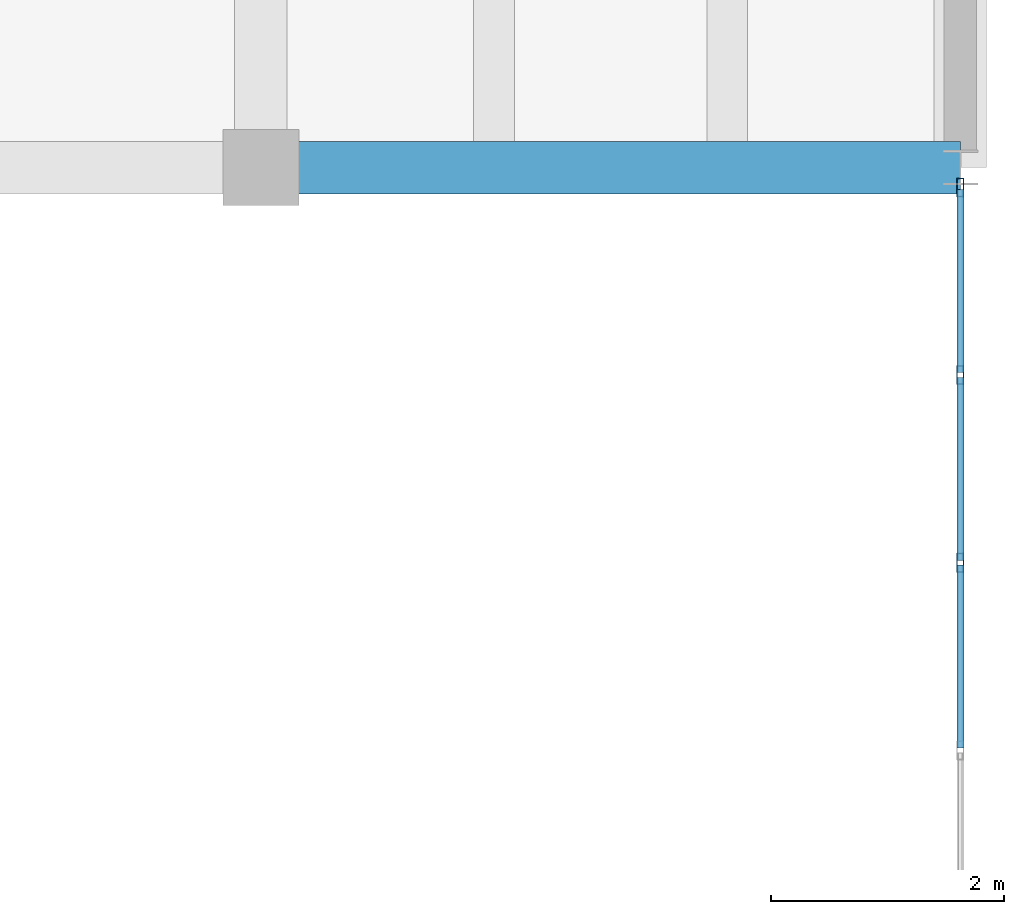
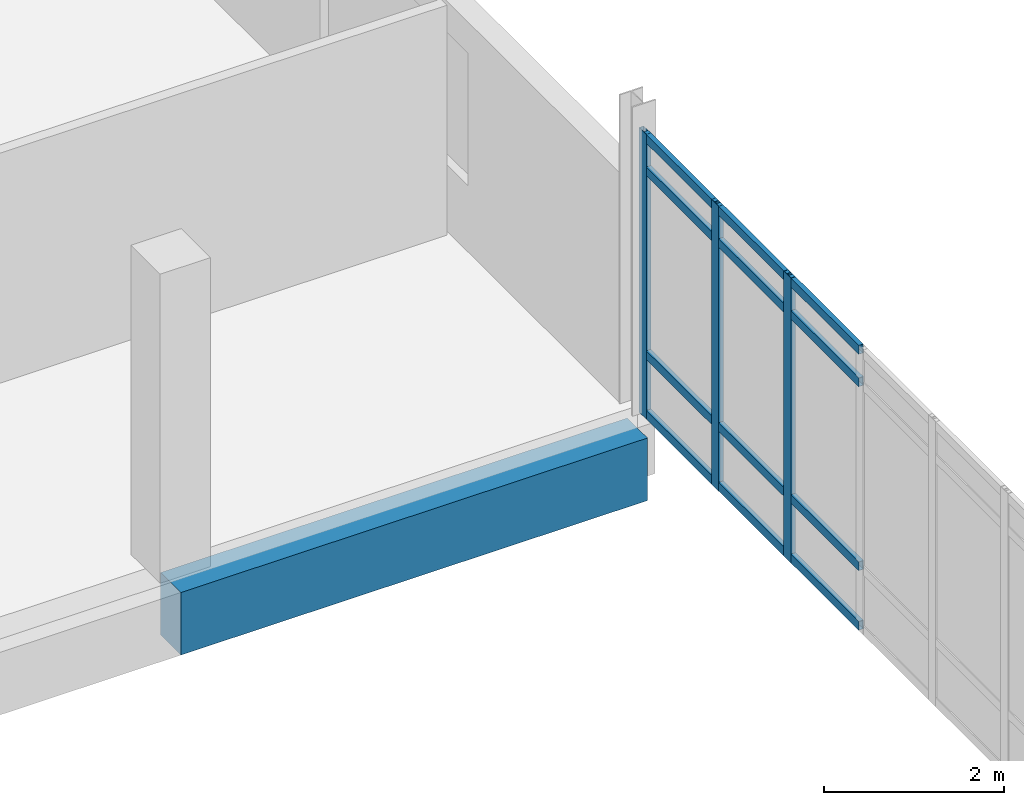
# One storey, part 115 of 161: 15 members, 1 beam, 1 element without a shape of its own.
"""IFC4 building model written with IfcOpenShell, lengths in metres."""

import ifcopenshell
import ifcopenshell.guid

model = None  # the IFC model being written
_history = None  # IfcOwnerHistory: only IFC2X3 demands one
_inside = {}  # id of a spatial element -> (the spatial element, [elements in it])
_under = {}  # id of a project, library or spatial element -> (it, [spatial elements below it])
_declared = {}  # id of a project -> (the project, [libraries it declares])
_typed = {}  # id of a type object -> (the type object, [elements of that type])
_made_of = {}  # id of a material, layer set ... -> (it, [elements and type objects made of it])


def new_model(schema):
    """Start an empty IFC model of exactly this schema.

    Asked for "IFC4X3", IfcOpenShell would pick the latest addendum, in which some entities
    have other attributes; the version numbers below select the first issue.
    IFC2X3 requires an IfcOwnerHistory on every rooted entity: one is made here for all.
    """
    global model, _history
    if schema == "IFC4X3":
        model = ifcopenshell.file(schema_version=(4, 3, 0, 0))
    else:
        model = ifcopenshell.file(schema=schema)
    _inside.clear()
    _under.clear()
    _declared.clear()
    _typed.clear()
    _made_of.clear()
    _history = None
    if model.schema == "IFC2X3":
        org = make("IfcOrganization", Name="unknown")
        user = make(
            "IfcPersonAndOrganization",
            ThePerson=make("IfcPerson", FamilyName="unknown"),
            TheOrganization=org,
        )
        app = make(
            "IfcApplication",
            ApplicationDeveloper=org,
            Version="unknown",
            ApplicationFullName="unknown",
            ApplicationIdentifier="unknown",
        )
        _history = make(
            "IfcOwnerHistory",
            OwningUser=user,
            OwningApplication=app,
            ChangeAction="ADDED",
            CreationDate=0,
        )
    return model


def make(cls, **values):
    """One entity of the class cls with the attributes given. An attribute that is None is left unset."""
    return model.create_entity(
        cls, **{name: value for name, value in values.items() if value is not None}
    )


def rooted(cls, **values):
    """An entity with a GlobalId (a new one), such as an element, a storey or a relation."""
    return make(cls, GlobalId=ifcopenshell.guid.new(), OwnerHistory=_history, **values)


def si_unit(unit_type, name, prefix=None):
    """IfcSIUnit, for example si_unit("LENGTHUNIT", "METRE", prefix="MILLI")."""
    return make("IfcSIUnit", UnitType=unit_type, Prefix=prefix, Name=name)


def assignment(units):
    """IfcUnitAssignment: the units of a project."""
    return None if units is None else make("IfcUnitAssignment", Units=units)


def point(xyz):
    """IfcCartesianPoint."""
    return None if xyz is None else make("IfcCartesianPoint", Coordinates=xyz)


def direction(xyz):
    """IfcDirection."""
    return None if xyz is None else make("IfcDirection", DirectionRatios=xyz)


def frame(location, z_axis=None, x_axis=None):
    """IfcAxis2Placement3D, a coordinate frame: its origin and axes. An axis left out is left unset."""
    return make(
        "IfcAxis2Placement3D",
        Location=point(location),
        Axis=direction(z_axis),
        RefDirection=direction(x_axis),
    )


def frame_2d(location, x_axis=None):
    """IfcAxis2Placement2D, a coordinate frame in the plane: its origin and x axis."""
    return make(
        "IfcAxis2Placement2D", Location=point(location), RefDirection=direction(x_axis)
    )


def origin():
    """The frame at (0, 0, 0) with its axes left unset."""
    return frame((0.0, 0.0, 0.0))


def origin_2d():
    """The frame at (0, 0) in the plane with its x axis left unset."""
    return frame_2d((0.0, 0.0))


def place(relative_to, where):
    """IfcLocalPlacement: puts the frame where relative to a parent placement (None: the world)."""
    return make(
        "IfcLocalPlacement", PlacementRelTo=relative_to, RelativePlacement=where
    )


def context(
    kind, dimensions, precision=None, world=None, true_north=None, identifier=None
):
    """IfcGeometricRepresentationContext, for example the 3D "Model" context."""
    return make(
        "IfcGeometricRepresentationContext",
        ContextIdentifier=identifier,
        ContextType=kind,
        CoordinateSpaceDimension=dimensions,
        Precision=precision,
        WorldCoordinateSystem=world,
        TrueNorth=true_north,
    )


def subcontext(parent, identifier, kind, view, scale=None):
    """IfcGeometricRepresentationSubContext, for example "Body" below "Model"."""
    return make(
        "IfcGeometricRepresentationSubContext",
        ContextIdentifier=identifier,
        ContextType=kind,
        ParentContext=parent,
        TargetScale=scale,
        TargetView=view,
    )


def project(units=None, contexts=None):
    """IfcProject with its units and contexts."""
    return rooted(
        "IfcProject",
        Name="project",
        RepresentationContexts=contexts,
        UnitsInContext=assignment(units),
    )


def spatial(cls, under=None, at=None, **own):
    """A site, building, storey or space (cls), placed at a placement, below another one or the project."""
    s = rooted(cls, ObjectPlacement=at, **own)
    if under is not None:
        _under.setdefault(under.id(), (under, []))[1].append(s)
    return s


def profile(cls, at=None, kind="AREA", **sizes):
    """A parametric profile (cls). Its sizes go by their IFC names, for example OverallWidth=200.0."""
    return make(cls, ProfileType=kind, Position=at, **sizes)


def rectangle(**sizes):
    """IfcRectangleProfileDef."""
    return profile("IfcRectangleProfileDef", **sizes)


def hollow_rectangle(**sizes):
    """IfcRectangleHollowProfileDef."""
    return profile("IfcRectangleHollowProfileDef", **sizes)


def extrude(swept, where, along, depth):
    """IfcExtrudedAreaSolid: the profile swept, set in the frame where, extruded along a direction by depth."""
    return make(
        "IfcExtrudedAreaSolid",
        SweptArea=swept,
        Position=where,
        ExtrudedDirection=direction(along),
        Depth=depth,
    )


def shape(context_of_items, identifier, shape_type, items):
    """IfcShapeRepresentation: the items that make up one representation, for example the "Body"."""
    return make(
        "IfcShapeRepresentation",
        ContextOfItems=context_of_items,
        RepresentationIdentifier=identifier,
        RepresentationType=shape_type,
        Items=items,
    )


def material(Name=None, Category=None):
    """IfcMaterial."""
    return make("IfcMaterial", Name=Name, Category=Category)


def layer(
    of_material, thickness, ventilated=None, Name=None, Category=None, Priority=None
):
    """IfcMaterialLayer: one layer of a wall or slab, of a material (None: an air gap)."""
    return make(
        "IfcMaterialLayer",
        Material=of_material,
        LayerThickness=thickness,
        IsVentilated=ventilated,
        Name=Name,
        Category=Category,
        Priority=Priority,
    )


def layer_set(layers, Name=None):
    """IfcMaterialLayerSet."""
    return make("IfcMaterialLayerSet", MaterialLayers=layers, LayerSetName=Name)


def material_profile(
    of_material, cross_section, Name=None, Category=None, Priority=None
):
    """IfcMaterialProfile: a cross section and its material."""
    return make(
        "IfcMaterialProfile",
        Name=Name,
        Material=of_material,
        Profile=cross_section,
        Priority=Priority,
        Category=Category,
    )


def profile_set(profiles, Name=None, composite=None):
    """IfcMaterialProfileSet."""
    return make(
        "IfcMaterialProfileSet",
        Name=Name,
        MaterialProfiles=profiles,
        CompositeProfile=composite,
    )


def made_of(thing, what):
    """Note that an element or type object is made of a material, layer set ...; save() writes the relation."""
    if what is not None:
        _made_of.setdefault(what.id(), (what, []))[1].append(thing)
    return thing


def type_object(cls, material=None, **own):
    """A type object (cls), such as IfcWallType, which elements share."""
    return made_of(rooted(cls, **own), material)


def element(
    cls,
    number,
    at=None,
    inside=None,
    cuts=None,
    type_object=None,
    material=None,
    context=None,
    identifier="Body",
    shape_type=None,
    held_by="IfcProductDefinitionShape",
    body=None,
    shapes=None,
    **own,
):
    """One element of the class cls, such as IfcWall. Its Tag is "e" and its number.

    at: its placement. inside: the storey or other place that contains it. cuts: it is an
    opening in that element (IfcRelVoidsElement). A single representation is given by context,
    identifier, shape_type and body (its items); several are given by shapes. held_by: the class
    of the entity that holds the representations. save() writes the other relations.
    """
    e = rooted(cls, Tag="e%d" % number, ObjectPlacement=at, **own)
    if body is not None:
        shapes = [shape(context, identifier, shape_type, body)]
    if shapes is not None:
        e.Representation = make(held_by, Representations=shapes)
    if inside is not None:
        _inside.setdefault(inside.id(), (inside, []))[1].append(e)
    if cuts is not None:
        rooted(
            "IfcRelVoidsElement", RelatingBuildingElement=cuts, RelatedOpeningElement=e
        )
    if type_object is not None:
        _typed.setdefault(type_object.id(), (type_object, []))[1].append(e)
    return made_of(e, material)


def aggregate(whole, parts):
    """IfcRelAggregates: a whole, such as a stair, and the parts it consists of."""
    return rooted("IfcRelAggregates", RelatingObject=whole, RelatedObjects=parts)


def save(model, path):
    """Write the relations noted so far, then the file.

    IfcRelAggregates (storeys below a building ...), IfcRelContainedInSpatialStructure (elements
    in a storey), IfcRelDefinesByType, IfcRelAssociatesMaterial and IfcRelDeclares: one each for
    every whole, place, type object, material and project.
    """
    for whole, parts in _under.values():
        aggregate(whole, parts)
    for where, things in _inside.values():
        rooted(
            "IfcRelContainedInSpatialStructure",
            RelatedElements=things,
            RelatingStructure=where,
        )
    for kind, things in _typed.values():
        rooted("IfcRelDefinesByType", RelatedObjects=things, RelatingType=kind)
    for what, things in _made_of.values():
        rooted("IfcRelAssociatesMaterial", RelatedObjects=things, RelatingMaterial=what)
    for by, libraries in _declared.values():
        rooted("IfcRelDeclares", RelatingContext=by, RelatedDefinitions=libraries)
    model.write(path)


model = new_model("IFC4")

# Units and contexts
model_context = context("Model", 3, precision=1e-05, world=origin(), true_north=direction((0.0, 1.0)))
body_context = subcontext(model_context, "Body", "Model", "MODEL_VIEW")
ifc_project = project(units=[si_unit("LENGTHUNIT", "METRE"), si_unit("AREAUNIT", "SQUARE_METRE"), si_unit("VOLUMEUNIT", "CUBIC_METRE"), si_unit("PLANEANGLEUNIT", "RADIAN"), si_unit("MASSUNIT", "GRAM", prefix="KILO")], contexts=[model_context])

# Site, building, storey
site_placement = place(None, origin())
site = spatial("IfcSite", under=ifc_project, at=site_placement, CompositionType="ELEMENT")
building_placement = place(site_placement, origin())
building = spatial("IfcBuilding", under=site, at=building_placement, Name="Mersad Railyard Sports Hall", CompositionType="ELEMENT")
storey_placement = place(building_placement, frame((0.0, 0.0, 4.800048828125)))
storey = spatial("IfcBuildingStorey", under=building, at=storey_placement, Name="L01", CompositionType="ELEMENT", Elevation=4.800048828125)

# Curtain wall, members
ifc_material_1 = material(Name="Aluminium 6063-T6", Category="aluminium")
ifc_layer = layer(ifc_material_1, 0.159912109375)
ifc_layer_set = layer_set([ifc_layer], Name="Aluminium 6063-T6")
curtain_wall_type = type_object("IfcCurtainWallType", Name="ARC-CW-CW22", PredefinedType="USERDEFINED", material=ifc_layer_set)
curtain_wall_placement = place(storey_placement, origin())
curtain_wall = element("IfcCurtainWall", 1, at=curtain_wall_placement, inside=storey, type_object=curtain_wall_type, Name="Curtain wall CW22-0061", ObjectType="CURTAIN WALL", PredefinedType="USERDEFINED")
ifc_material_profile_1 = material_profile(ifc_material_1, hollow_rectangle(XDim=0.06005859375, YDim=0.159912109375, WallThickness=0.00390625, at=origin_2d()), Name="AL MULLION 60x160x4")
ifc_profile_set_1 = profile_set([ifc_material_profile_1], Name="Aluminium 6063-T6")
member_type_1 = type_object("IfcMemberType", Name="ARC-CW-MUL01", PredefinedType="MULLION", material=ifc_profile_set_1)
member_1_placement = place(storey_placement, frame((179.0, 94.830078125, -0.02001953125), z_axis=(0.0, 0.0, 1.0), x_axis=(1.0, 0.0, 0.0)))
member_1 = element("IfcMember", 2, at=member_1_placement, type_object=member_type_1, Name="CW22 Mullion 1", PredefinedType="MULLION", context=body_context, shape_type="SweptSolid", body=[
    extrude(hollow_rectangle(XDim=0.06005859375, YDim=0.159912109375, WallThickness=0.00390625, at=origin_2d()), origin(), (0.0, 0.0, 1.0), 3.869873046875),
])
member_2_placement = place(storey_placement, frame((179.0, 93.219970703125, -0.02001953125), z_axis=(0.0, 0.0, 1.0), x_axis=(1.0, 0.0, 0.0)))
member_2 = element("IfcMember", 3, at=member_2_placement, type_object=member_type_1, Name="CW22 Mullion 2", PredefinedType="MULLION", context=body_context, shape_type="SweptSolid", body=[
    extrude(hollow_rectangle(XDim=0.06005859375, YDim=0.159912109375, WallThickness=0.00390625, at=origin_2d()), origin(), (0.0, 0.0, 1.0), 3.869873046875),
])
member_3_placement = place(storey_placement, frame((179.0, 91.610107421875, -0.02001953125), z_axis=(0.0, 0.0, 1.0), x_axis=(1.0, 0.0, 0.0)))
member_3 = element("IfcMember", 4, at=member_3_placement, type_object=member_type_1, Name="CW22 Mullion 3", PredefinedType="MULLION", context=body_context, shape_type="SweptSolid", body=[
    extrude(hollow_rectangle(XDim=0.06005859375, YDim=0.159912109375, WallThickness=0.00390625, at=origin_2d()), origin(), (0.0, 0.0, 1.0), 3.869873046875),
])
ifc_material_profile_2 = material_profile(ifc_material_1, hollow_rectangle(XDim=0.06005859375, YDim=0.1201171875, WallThickness=0.00390625, at=origin_2d()), Name="AL TRANSOM 60x120x4")
ifc_profile_set_2 = profile_set([ifc_material_profile_2], Name="Aluminium 6063-T6")
member_type_2 = type_object("IfcMemberType", Name="ARC-CW-TRN01", PredefinedType="USERDEFINED", material=ifc_profile_set_2)
member_4_placement = place(storey_placement, frame((179.0, 94.81005859375, 0.0400390625), z_axis=(0.0, -1.0, 0.0), x_axis=(1.0, 0.0, 0.0)))
member_4 = element("IfcMember", 5, at=member_4_placement, type_object=member_type_2, Name="CW22 Transom 1-1", ObjectType="TRANSOM", PredefinedType="USERDEFINED", context=body_context, shape_type="SweptSolid", body=[
    extrude(hollow_rectangle(XDim=0.06005859375, YDim=0.1201171875, WallThickness=0.00390625, at=origin_2d()), origin(), (0.0, 0.0, 1.0), 1.570068359375),
])
member_5_placement = place(storey_placement, frame((179.0, 93.199951171875, 0.0400390625), z_axis=(0.0, -1.0, 0.0), x_axis=(1.0, 0.0, 0.0)))
member_5 = element("IfcMember", 6, at=member_5_placement, type_object=member_type_2, Name="CW22 Transom 1-2", ObjectType="TRANSOM", PredefinedType="USERDEFINED", context=body_context, shape_type="SweptSolid", body=[
    extrude(hollow_rectangle(XDim=0.06005859375, YDim=0.1201171875, WallThickness=0.00390625, at=origin_2d()), origin(), (0.0, 0.0, 1.0), 1.570068359375),
])
member_6_placement = place(storey_placement, frame((179.0, 91.590087890625, 0.0400390625), z_axis=(0.0, -1.0, 0.0), x_axis=(1.0, 0.0, 0.0)))
member_6 = element("IfcMember", 7, at=member_6_placement, type_object=member_type_2, Name="CW22 Transom 1-3", ObjectType="TRANSOM", PredefinedType="USERDEFINED", context=body_context, shape_type="SweptSolid", body=[
    extrude(hollow_rectangle(XDim=0.06005859375, YDim=0.1201171875, WallThickness=0.00390625, at=origin_2d()), origin(), (0.0, 0.0, 1.0), 1.570068359375),
])
member_7_placement = place(storey_placement, frame((179.0, 94.81005859375, 0.849853515625), z_axis=(0.0, -1.0, 0.0), x_axis=(1.0, 0.0, 0.0)))
member_7 = element("IfcMember", 8, at=member_7_placement, type_object=member_type_2, Name="CW22 Transom 2-1", ObjectType="TRANSOM", PredefinedType="USERDEFINED", context=body_context, shape_type="SweptSolid", body=[
    extrude(hollow_rectangle(XDim=0.06005859375, YDim=0.1201171875, WallThickness=0.00390625, at=origin_2d()), origin(), (0.0, 0.0, 1.0), 1.570068359375),
])
member_8_placement = place(storey_placement, frame((179.0, 93.199951171875, 0.849853515625), z_axis=(0.0, -1.0, 0.0), x_axis=(1.0, 0.0, 0.0)))
member_8 = element("IfcMember", 9, at=member_8_placement, type_object=member_type_2, Name="CW22 Transom 2-2", ObjectType="TRANSOM", PredefinedType="USERDEFINED", context=body_context, shape_type="SweptSolid", body=[
    extrude(hollow_rectangle(XDim=0.06005859375, YDim=0.1201171875, WallThickness=0.00390625, at=origin_2d()), origin(), (0.0, 0.0, 1.0), 1.570068359375),
])
member_9_placement = place(storey_placement, frame((179.0, 91.590087890625, 0.849853515625), z_axis=(0.0, -1.0, 0.0), x_axis=(1.0, 0.0, 0.0)))
member_9 = element("IfcMember", 10, at=member_9_placement, type_object=member_type_2, Name="CW22 Transom 2-3", ObjectType="TRANSOM", PredefinedType="USERDEFINED", context=body_context, shape_type="SweptSolid", body=[
    extrude(hollow_rectangle(XDim=0.06005859375, YDim=0.1201171875, WallThickness=0.00390625, at=origin_2d()), origin(), (0.0, 0.0, 1.0), 1.570068359375),
])
member_10_placement = place(storey_placement, frame((179.0, 94.81005859375, 3.349853515625), z_axis=(0.0, -1.0, 0.0), x_axis=(1.0, 0.0, 0.0)))
member_10 = element("IfcMember", 11, at=member_10_placement, type_object=member_type_2, Name="CW22 Transom 3-1", ObjectType="TRANSOM", PredefinedType="USERDEFINED", context=body_context, shape_type="SweptSolid", body=[
    extrude(hollow_rectangle(XDim=0.06005859375, YDim=0.1201171875, WallThickness=0.00390625, at=origin_2d()), origin(), (0.0, 0.0, 1.0), 1.570068359375),
])
member_11_placement = place(storey_placement, frame((179.0, 93.199951171875, 3.349853515625), z_axis=(0.0, -1.0, 0.0), x_axis=(1.0, 0.0, 0.0)))
member_11 = element("IfcMember", 12, at=member_11_placement, type_object=member_type_2, Name="CW22 Transom 3-2", ObjectType="TRANSOM", PredefinedType="USERDEFINED", context=body_context, shape_type="SweptSolid", body=[
    extrude(hollow_rectangle(XDim=0.06005859375, YDim=0.1201171875, WallThickness=0.00390625, at=origin_2d()), origin(), (0.0, 0.0, 1.0), 1.570068359375),
])
member_12_placement = place(storey_placement, frame((179.0, 91.590087890625, 3.349853515625), z_axis=(0.0, -1.0, 0.0), x_axis=(1.0, 0.0, 0.0)))
member_12 = element("IfcMember", 13, at=member_12_placement, type_object=member_type_2, Name="CW22 Transom 3-3", ObjectType="TRANSOM", PredefinedType="USERDEFINED", context=body_context, shape_type="SweptSolid", body=[
    extrude(hollow_rectangle(XDim=0.06005859375, YDim=0.1201171875, WallThickness=0.00390625, at=origin_2d()), origin(), (0.0, 0.0, 1.0), 1.570068359375),
])
member_13_placement = place(storey_placement, frame((179.0, 94.81005859375, 3.7900390625), z_axis=(0.0, -1.0, 0.0), x_axis=(1.0, 0.0, 0.0)))
member_13 = element("IfcMember", 14, at=member_13_placement, type_object=member_type_2, Name="CW22 Transom 4-1", ObjectType="TRANSOM", PredefinedType="USERDEFINED", context=body_context, shape_type="SweptSolid", body=[
    extrude(hollow_rectangle(XDim=0.06005859375, YDim=0.1201171875, WallThickness=0.00390625, at=origin_2d()), origin(), (0.0, 0.0, 1.0), 1.570068359375),
])
member_14_placement = place(storey_placement, frame((179.0, 93.199951171875, 3.7900390625), z_axis=(0.0, -1.0, 0.0), x_axis=(1.0, 0.0, 0.0)))
member_14 = element("IfcMember", 15, at=member_14_placement, type_object=member_type_2, Name="CW22 Transom 4-2", ObjectType="TRANSOM", PredefinedType="USERDEFINED", context=body_context, shape_type="SweptSolid", body=[
    extrude(hollow_rectangle(XDim=0.06005859375, YDim=0.1201171875, WallThickness=0.00390625, at=origin_2d()), origin(), (0.0, 0.0, 1.0), 1.570068359375),
])
member_15_placement = place(storey_placement, frame((179.0, 91.590087890625, 3.7900390625), z_axis=(0.0, -1.0, 0.0), x_axis=(1.0, 0.0, 0.0)))
member_15 = element("IfcMember", 16, at=member_15_placement, type_object=member_type_2, Name="CW22 Transom 4-3", ObjectType="TRANSOM", PredefinedType="USERDEFINED", context=body_context, shape_type="SweptSolid", body=[
    extrude(hollow_rectangle(XDim=0.06005859375, YDim=0.1201171875, WallThickness=0.00390625, at=origin_2d()), origin(), (0.0, 0.0, 1.0), 1.570068359375),
])
aggregate(curtain_wall, [member_1, member_2, member_3, member_4, member_5, member_6, member_7, member_8, member_9, member_10, member_11, member_12, member_13, member_14, member_15])

# Beam
ifc_material_2 = material(Name="Concrete C40/50", Category="concrete")
ifc_material_profile_3 = material_profile(ifc_material_2, rectangle(XDim=0.449951171875, YDim=0.85009765625, at=origin_2d()), Name="RC 450x850")
ifc_profile_set_3 = profile_set([ifc_material_profile_3], Name="Concrete C40/50")
beam_type = type_object("IfcBeamType", Name="STR-BM-B02", PredefinedType="BEAM", material=ifc_profile_set_3)
beam_placement = place(storey_placement, frame((173.0, 95.0, -0.72509765625), z_axis=(1.0, 0.0, 0.0), x_axis=(0.0, 1.0, 0.0)))
element("IfcBeam", 17, at=beam_placement, inside=storey, type_object=beam_type, Name="Beam B02-0985", PredefinedType="BEAM", context=body_context, shape_type="SweptSolid", body=[
    extrude(rectangle(XDim=0.449951171875, YDim=0.85009765625, at=origin_2d()), origin(), (0.0, 0.0, 1.0), 6.0),
])

save(model, "model.ifc")
